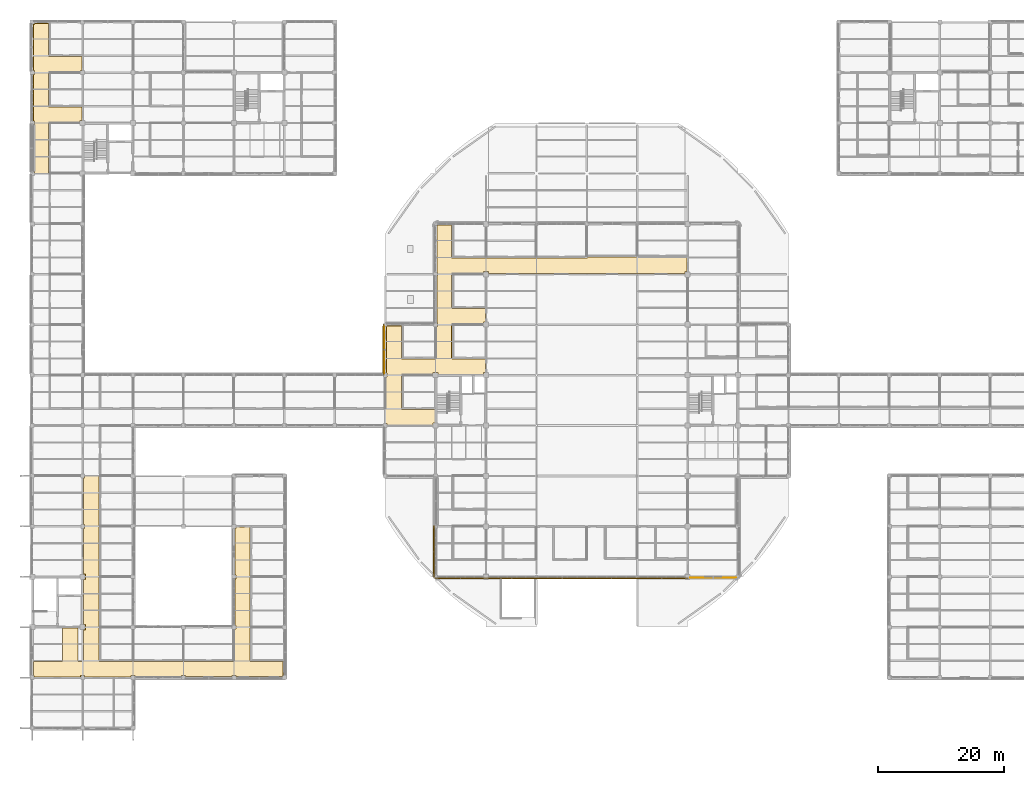
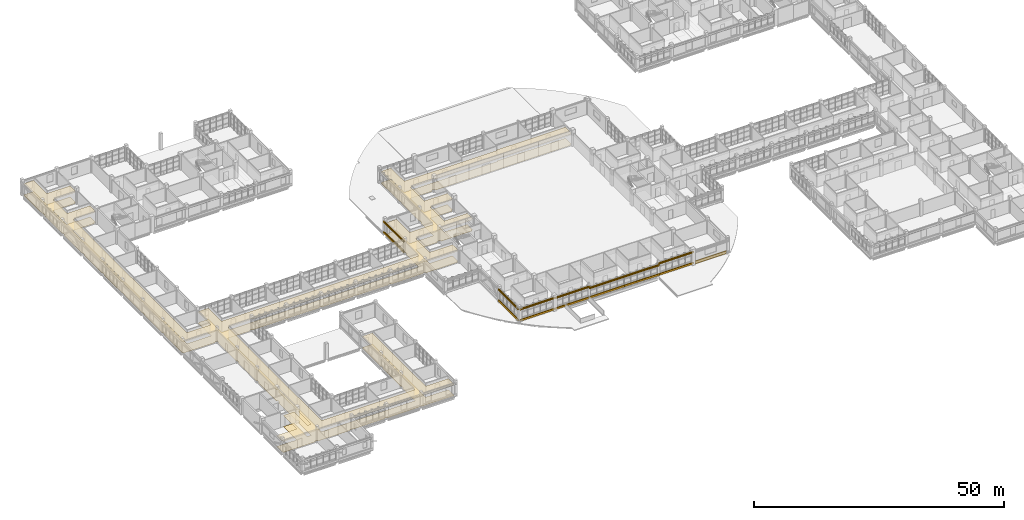
# One storey, part 114 of 126: 18 coverings, 7 shading devices.
"""IFC4 building model written with IfcOpenShell, lengths in metres."""

import ifcopenshell
import ifcopenshell.guid

model = None  # the IFC model being written
_history = None  # IfcOwnerHistory: only IFC2X3 demands one
_inside = {}  # id of a spatial element -> (the spatial element, [elements in it])
_under = {}  # id of a project, library or spatial element -> (it, [spatial elements below it])
_declared = {}  # id of a project -> (the project, [libraries it declares])
_typed = {}  # id of a type object -> (the type object, [elements of that type])
_made_of = {}  # id of a material, layer set ... -> (it, [elements and type objects made of it])


def new_model(schema):
    """Start an empty IFC model of exactly this schema.

    Asked for "IFC4X3", IfcOpenShell would pick the latest addendum, in which some entities
    have other attributes; the version numbers below select the first issue.
    IFC2X3 requires an IfcOwnerHistory on every rooted entity: one is made here for all.
    """
    global model, _history
    if schema == "IFC4X3":
        model = ifcopenshell.file(schema_version=(4, 3, 0, 0))
    else:
        model = ifcopenshell.file(schema=schema)
    _inside.clear()
    _under.clear()
    _declared.clear()
    _typed.clear()
    _made_of.clear()
    _history = None
    if model.schema == "IFC2X3":
        org = make("IfcOrganization", Name="unknown")
        user = make(
            "IfcPersonAndOrganization",
            ThePerson=make("IfcPerson", FamilyName="unknown"),
            TheOrganization=org,
        )
        app = make(
            "IfcApplication",
            ApplicationDeveloper=org,
            Version="unknown",
            ApplicationFullName="unknown",
            ApplicationIdentifier="unknown",
        )
        _history = make(
            "IfcOwnerHistory",
            OwningUser=user,
            OwningApplication=app,
            ChangeAction="ADDED",
            CreationDate=0,
        )
    return model


def make(cls, **values):
    """One entity of the class cls with the attributes given. An attribute that is None is left unset."""
    return model.create_entity(
        cls, **{name: value for name, value in values.items() if value is not None}
    )


def rooted(cls, **values):
    """An entity with a GlobalId (a new one), such as an element, a storey or a relation."""
    return make(cls, GlobalId=ifcopenshell.guid.new(), OwnerHistory=_history, **values)


def si_unit(unit_type, name, prefix=None):
    """IfcSIUnit, for example si_unit("LENGTHUNIT", "METRE", prefix="MILLI")."""
    return make("IfcSIUnit", UnitType=unit_type, Prefix=prefix, Name=name)


def derived_unit(unit_type, elements):
    """IfcDerivedUnit: a product of units, each with its exponent."""
    return make(
        "IfcDerivedUnit",
        Elements=[
            make("IfcDerivedUnitElement", Unit=unit, Exponent=power)
            for unit, power in elements
        ],
        UnitType=unit_type,
    )


def assignment(units):
    """IfcUnitAssignment: the units of a project."""
    return None if units is None else make("IfcUnitAssignment", Units=units)


def point(xyz):
    """IfcCartesianPoint."""
    return None if xyz is None else make("IfcCartesianPoint", Coordinates=xyz)


def direction(xyz):
    """IfcDirection."""
    return None if xyz is None else make("IfcDirection", DirectionRatios=xyz)


def frame(location, z_axis=None, x_axis=None):
    """IfcAxis2Placement3D, a coordinate frame: its origin and axes. An axis left out is left unset."""
    return make(
        "IfcAxis2Placement3D",
        Location=point(location),
        Axis=direction(z_axis),
        RefDirection=direction(x_axis),
    )


def frame_2d(location, x_axis=None):
    """IfcAxis2Placement2D, a coordinate frame in the plane: its origin and x axis."""
    return make(
        "IfcAxis2Placement2D", Location=point(location), RefDirection=direction(x_axis)
    )


def origin():
    """The frame at (0, 0, 0) with its axes left unset."""
    return frame((0.0, 0.0, 0.0))


def origin_2d():
    """The frame at (0, 0) in the plane with its x axis left unset."""
    return frame_2d((0.0, 0.0))


def place(relative_to, where):
    """IfcLocalPlacement: puts the frame where relative to a parent placement (None: the world)."""
    return make(
        "IfcLocalPlacement", PlacementRelTo=relative_to, RelativePlacement=where
    )


def context(
    kind, dimensions, precision=None, world=None, true_north=None, identifier=None
):
    """IfcGeometricRepresentationContext, for example the 3D "Model" context."""
    return make(
        "IfcGeometricRepresentationContext",
        ContextIdentifier=identifier,
        ContextType=kind,
        CoordinateSpaceDimension=dimensions,
        Precision=precision,
        WorldCoordinateSystem=world,
        TrueNorth=true_north,
    )


def subcontext(parent, identifier, kind, view, scale=None):
    """IfcGeometricRepresentationSubContext, for example "Body" below "Model"."""
    return make(
        "IfcGeometricRepresentationSubContext",
        ContextIdentifier=identifier,
        ContextType=kind,
        ParentContext=parent,
        TargetScale=scale,
        TargetView=view,
    )


def project(units=None, contexts=None):
    """IfcProject with its units and contexts."""
    return rooted(
        "IfcProject",
        Name="project",
        RepresentationContexts=contexts,
        UnitsInContext=assignment(units),
    )


def spatial(cls, under=None, at=None, **own):
    """A site, building, storey or space (cls), placed at a placement, below another one or the project."""
    s = rooted(cls, ObjectPlacement=at, **own)
    if under is not None:
        _under.setdefault(under.id(), (under, []))[1].append(s)
    return s


def polyline(points):
    """IfcPolyline through the points."""
    return make("IfcPolyline", Points=[point(p) for p in points])


def profile(cls, at=None, kind="AREA", **sizes):
    """A parametric profile (cls). Its sizes go by their IFC names, for example OverallWidth=200.0."""
    return make(cls, ProfileType=kind, Position=at, **sizes)


def rectangle(**sizes):
    """IfcRectangleProfileDef."""
    return profile("IfcRectangleProfileDef", **sizes)


def circle(**sizes):
    """IfcCircleProfileDef."""
    return profile("IfcCircleProfileDef", **sizes)


def outline(outer, holes=None, kind="AREA"):
    """IfcArbitraryClosedProfileDef: a profile drawn as a closed curve; with holes, ...WithVoids."""
    if holes is None:
        return make("IfcArbitraryClosedProfileDef", ProfileType=kind, OuterCurve=outer)
    return make(
        "IfcArbitraryProfileDefWithVoids",
        ProfileType=kind,
        OuterCurve=outer,
        InnerCurves=holes,
    )


def extrude(swept, where, along, depth):
    """IfcExtrudedAreaSolid: the profile swept, set in the frame where, extruded along a direction by depth."""
    return make(
        "IfcExtrudedAreaSolid",
        SweptArea=swept,
        Position=where,
        ExtrudedDirection=direction(along),
        Depth=depth,
    )


def shape(context_of_items, identifier, shape_type, items):
    """IfcShapeRepresentation: the items that make up one representation, for example the "Body"."""
    return make(
        "IfcShapeRepresentation",
        ContextOfItems=context_of_items,
        RepresentationIdentifier=identifier,
        RepresentationType=shape_type,
        Items=items,
    )


def material(Name=None, Category=None):
    """IfcMaterial."""
    return make("IfcMaterial", Name=Name, Category=Category)


def layer(
    of_material, thickness, ventilated=None, Name=None, Category=None, Priority=None
):
    """IfcMaterialLayer: one layer of a wall or slab, of a material (None: an air gap)."""
    return make(
        "IfcMaterialLayer",
        Material=of_material,
        LayerThickness=thickness,
        IsVentilated=ventilated,
        Name=Name,
        Category=Category,
        Priority=Priority,
    )


def layer_set(layers, Name=None):
    """IfcMaterialLayerSet."""
    return make("IfcMaterialLayerSet", MaterialLayers=layers, LayerSetName=Name)


def material_profile(
    of_material, cross_section, Name=None, Category=None, Priority=None
):
    """IfcMaterialProfile: a cross section and its material."""
    return make(
        "IfcMaterialProfile",
        Name=Name,
        Material=of_material,
        Profile=cross_section,
        Priority=Priority,
        Category=Category,
    )


def profile_set(profiles, Name=None, composite=None):
    """IfcMaterialProfileSet."""
    return make(
        "IfcMaterialProfileSet",
        Name=Name,
        MaterialProfiles=profiles,
        CompositeProfile=composite,
    )


def made_of(thing, what):
    """Note that an element or type object is made of a material, layer set ...; save() writes the relation."""
    if what is not None:
        _made_of.setdefault(what.id(), (what, []))[1].append(thing)
    return thing


def type_object(cls, material=None, **own):
    """A type object (cls), such as IfcWallType, which elements share."""
    return made_of(rooted(cls, **own), material)


def element(
    cls,
    number,
    at=None,
    inside=None,
    cuts=None,
    type_object=None,
    material=None,
    context=None,
    identifier="Body",
    shape_type=None,
    held_by="IfcProductDefinitionShape",
    body=None,
    shapes=None,
    **own,
):
    """One element of the class cls, such as IfcWall. Its Tag is "e" and its number.

    at: its placement. inside: the storey or other place that contains it. cuts: it is an
    opening in that element (IfcRelVoidsElement). A single representation is given by context,
    identifier, shape_type and body (its items); several are given by shapes. held_by: the class
    of the entity that holds the representations. save() writes the other relations.
    """
    e = rooted(cls, Tag="e%d" % number, ObjectPlacement=at, **own)
    if body is not None:
        shapes = [shape(context, identifier, shape_type, body)]
    if shapes is not None:
        e.Representation = make(held_by, Representations=shapes)
    if inside is not None:
        _inside.setdefault(inside.id(), (inside, []))[1].append(e)
    if cuts is not None:
        rooted(
            "IfcRelVoidsElement", RelatingBuildingElement=cuts, RelatedOpeningElement=e
        )
    if type_object is not None:
        _typed.setdefault(type_object.id(), (type_object, []))[1].append(e)
    return made_of(e, material)


def aggregate(whole, parts):
    """IfcRelAggregates: a whole, such as a stair, and the parts it consists of."""
    return rooted("IfcRelAggregates", RelatingObject=whole, RelatedObjects=parts)


def save(model, path):
    """Write the relations noted so far, then the file.

    IfcRelAggregates (storeys below a building ...), IfcRelContainedInSpatialStructure (elements
    in a storey), IfcRelDefinesByType, IfcRelAssociatesMaterial and IfcRelDeclares: one each for
    every whole, place, type object, material and project.
    """
    for whole, parts in _under.values():
        aggregate(whole, parts)
    for where, things in _inside.values():
        rooted(
            "IfcRelContainedInSpatialStructure",
            RelatedElements=things,
            RelatingStructure=where,
        )
    for kind, things in _typed.values():
        rooted("IfcRelDefinesByType", RelatedObjects=things, RelatingType=kind)
    for what, things in _made_of.values():
        rooted("IfcRelAssociatesMaterial", RelatedObjects=things, RelatingMaterial=what)
    for by, libraries in _declared.values():
        rooted("IfcRelDeclares", RelatingContext=by, RelatedDefinitions=libraries)
    model.write(path)


model = new_model("IFC4")

# Units and contexts
model_context = context("Model", 3, precision=1e-05, world=origin(), true_north=direction((0.0, 1.0)))
body_context = subcontext(model_context, "Body", "Model", "MODEL_VIEW")
ifc_project = project(units=[si_unit("LENGTHUNIT", "METRE"), si_unit("AREAUNIT", "SQUARE_METRE"), si_unit("VOLUMEUNIT", "CUBIC_METRE"), si_unit("PLANEANGLEUNIT", "RADIAN"), si_unit("MASSUNIT", "GRAM", prefix="KILO"), derived_unit("THERMALTRANSMITTANCEUNIT", [(si_unit("MASSUNIT", "GRAM", prefix="KILO"), 1), (si_unit("TIMEUNIT", "SECOND"), -3), (si_unit("THERMODYNAMICTEMPERATUREUNIT", "KELVIN"), -1)])], contexts=[model_context])

# Site, building, storey
site_placement = place(None, origin())
site = spatial("IfcSite", under=ifc_project, at=site_placement, CompositionType="ELEMENT")
building_placement = place(site_placement, origin())
building = spatial("IfcBuilding", under=site, at=building_placement, Name="Veyamyaing Civic Hall", CompositionType="ELEMENT")
storey_placement = place(building_placement, frame((0.0, 0.0, 9.89990234375)))
storey = spatial("IfcBuildingStorey", under=building, at=storey_placement, Name="L02", CompositionType="ELEMENT", Elevation=9.89990234375)

# Coverings
ifc_material_1 = material(Name="Turquoise glazed ceramic tile cladding", Category="masonry")
ifc_layer_1 = layer(ifc_material_1, 0.034912109375, Name="Turquoise glazed ceramic tile cladding")
ifc_layer_set_1 = layer_set([ifc_layer_1], Name="Turquoise glazed ceramic tile cladding")
covering_type_1 = type_object("IfcCoveringType", Name="CL-02", PredefinedType="CLADDING", material=ifc_layer_set_1)
covering_1_placement = place(storey_placement, frame((55.833984375, 60.0, 0.045166015625), z_axis=(0.0, 0.0, 1.0), x_axis=(0.0, 1.0, 0.0)))
element("IfcCovering", 1, at=covering_1_placement, inside=storey, type_object=covering_type_1, Name="Facade spandrel cladding CL-02 L02 W 8.8", PredefinedType="CLADDING", context=body_context, shape_type="SweptSolid", body=[
    extrude(rectangle(XDim=7.35009765625, YDim=0.034912109375, at=origin_2d()), origin(), (0.0, 0.0, 1.0), 0.75),
])
covering_2_placement = place(storey_placement, frame((108.050048828125, 23.833984375, 0.045166015625), z_axis=(0.0, 0.0, 1.0), x_axis=(1.0, 0.0, 0.0)))
element("IfcCovering", 2, at=covering_2_placement, inside=storey, type_object=covering_type_1, Name="Facade spandrel cladding CL-02 L02 S 14.4", PredefinedType="CLADDING", context=body_context, shape_type="SweptSolid", body=[
    extrude(rectangle(XDim=7.25, YDim=0.034912109375, at=origin_2d()), origin(), (0.0, 0.0, 1.0), 0.75),
])
ifc_material_2 = material(Name="White powder-coated aluminium 6063-T6", Category="aluminium")
ifc_layer_2 = layer(ifc_material_2, 0.2099609375, Name="White powder-coated aluminium 6063-T6")
ifc_layer_set_2 = layer_set([ifc_layer_2], Name="White powder-coated aluminium 6063-T6")
covering_type_2 = type_object("IfcCoveringType", Name="CL-03", PredefinedType="CLADDING", material=ifc_layer_set_2)
for number, where, z_axis, x_axis, name in (
    (3, (55.760009765625, 60.0, 2.900146484375), (0.0, 0.0, 1.0), (0.0, 1.0, 0.0), "Continuous white head fascia ribbon CL-03 L02 W 8.8"),
    (4, (55.760009765625, 60.0, 0.280029296875), (0.0, 0.0, 1.0), (0.0, 1.0, 0.0), "Continuous white sill fascia ribbon CL-03 L02 W 8.8"),
    (5, (68.0, 23.760009765625, 2.964111328125), (0.0, 0.0, 1.0), (1.0, 0.0, 0.0), "Continuous white head fascia ribbon CL-03 L02 S 9.4"),
    (6, (68.0, 23.760009765625, 0.280029296875), (0.0, 0.0, 1.0), (1.0, 0.0, 0.0), "Continuous white sill fascia ribbon CL-03 L02 S 9.4"),
    (7, (63.760009765625, 28.0, 2.964111328125), (0.0, 0.0, 1.0), (0.0, 1.0, 0.0), "Continuous white head fascia ribbon CL-03 L02 W 9.4"),
    (8, (63.760009765625, 28.0, 0.280029296875), (0.0, 0.0, 1.0), (0.0, 1.0, 0.0), "Continuous white sill fascia ribbon CL-03 L02 W 9.4"),
    (9, (76.0, 23.760009765625, 2.904052734375), (0.0, 0.0, 1.0), (1.0, 0.0, 0.0), "Continuous white head fascia ribbon CL-03 L02 S 10.4"),
    (10, (76.0, 23.760009765625, 0.280029296875), (0.0, 0.0, 1.0), (1.0, 0.0, 0.0), "Continuous white sill fascia ribbon CL-03 L02 S 10.4"),
    (11, (84.0, 23.760009765625, 2.55908203125), (0.0, 0.0, 1.0), (1.0, 0.0, 0.0), "Continuous white head fascia ribbon CL-03 L02 S 11.4"),
    (12, (84.0, 23.760009765625, 0.280029296875), (0.0, 0.0, 1.0), (1.0, 0.0, 0.0), "Continuous white sill fascia ribbon CL-03 L02 S 11.4"),
    (13, (92.0, 23.760009765625, 2.55908203125), (0.0, 0.0, 1.0), (1.0, 0.0, 0.0), "Continuous white head fascia ribbon CL-03 L02 S 12.4"),
    (14, (92.0, 23.760009765625, 0.280029296875), (0.0, 0.0, 1.0), (1.0, 0.0, 0.0), "Continuous white sill fascia ribbon CL-03 L02 S 12.4"),
    (15, (100.0, 23.760009765625, 2.964111328125), (0.0, 0.0, 1.0), (1.0, 0.0, 0.0), "Continuous white head fascia ribbon CL-03 L02 S 13.4"),
    (16, (100.0, 23.760009765625, 0.280029296875), (0.0, 0.0, 1.0), (1.0, 0.0, 0.0), "Continuous white sill fascia ribbon CL-03 L02 S 13.4"),
):
    element("IfcCovering", number, at=place(storey_placement, frame(where, z_axis=z_axis, x_axis=x_axis)), inside=storey, type_object=covering_type_2, Name=name, PredefinedType="CLADDING", context=body_context, shape_type="SweptSolid", body=[
        extrude(rectangle(XDim=8.1201171875, YDim=0.2099609375, at=origin_2d()), origin(), (0.0, 0.0, 1.0), 0.39990234375),
    ])
ifc_material_3 = material(Name="Perforated acoustic gypsum ceiling board")
ifc_layer_3 = layer(ifc_material_3, 0.02490234375, Name="Perforated acoustic gypsum ceiling board")
ifc_layer_set_3 = layer_set([ifc_layer_3], Name="Perforated acoustic gypsum ceiling board")
covering_type_3 = type_object("IfcCoveringType", Name="CLG-01", PredefinedType="CEILING", material=ifc_layer_set_3)
covering_3_placement = place(storey_placement, frame((0.0, 0.0, 2.7001953125)))
element("IfcCovering", 17, at=covering_3_placement, inside=storey, type_object=covering_type_3, Name="Acoustic suspended ceiling CLG-01 L02-C01", PredefinedType="CEILING", context=body_context, shape_type="SweptSolid", body=[
    extrude(outline(polyline([(34.580810546875, 10.6220703125), (34.597412109375, 10.597412109375), (34.62158203125, 10.581298828125), (34.652587890625, 10.574951171875), (39.844970703125, 10.574951171875), (39.844970703125, 8.284912109375), (39.715087890625, 8.284912109375), (39.715087890625, 8.155029296875), (32.284912109375, 8.155029296875), (32.284912109375, 8.284912109375), (31.715087890625, 8.284912109375), (31.715087890625, 8.155029296875), (24.284912109375, 8.155029296875), (24.284912109375, 8.284912109375), (23.715087890625, 8.284912109375), (23.715087890625, 8.155029296875), (16.284912109375, 8.155029296875), (16.284912109375, 8.284912109375), (15.715087890625, 8.284912109375), (15.715087890625, 8.074951171875), (8.284912109375, 8.074951171875), (8.284912109375, 8.284912109375), (7.715087890625, 8.284912109375), (7.715087890625, 8.074951171875), (0.284912109375, 8.074951171875), (0.284912109375, 8.284912109375), (0.155029296875, 8.284912109375), (0.155029296875, 10.574951171875), (4.69873046875, 10.574951171875), (4.714111328125, 10.576416015625), (4.735107421875, 10.583984375), (4.75341796875, 10.597412109375), (4.76171875, 10.60791015625), (4.771484375, 10.62841796875), (4.77490234375, 10.65185546875), (4.77490234375, 15.925048828125), (7.27490234375, 15.925048828125), (7.27685546875, 10.635009765625), (7.2841796875, 10.61474609375), (7.297119140625, 10.59716796875), (7.314208984375, 10.58447265625), (7.343994140625, 10.575439453125), (7.99755859375, 10.574951171875), (8.029296875, 10.581298828125), (8.0478515625, 10.592529296875), (8.0576171875, 10.60205078125), (8.068603515625, 10.620849609375), (8.074951171875, 10.652587890625), (8.074951171875, 15.614990234375), (8.385009765625, 15.614990234375), (8.385009765625, 16.385009765625), (8.074951171875, 16.385009765625), (8.074951171875, 23.614990234375), (8.385009765625, 23.614990234375), (8.385009765625, 24.385009765625), (8.074951171875, 24.385009765625), (8.074951171875, 31.715087890625), (8.284912109375, 31.715087890625), (8.284912109375, 32.284912109375), (8.074951171875, 32.284912109375), (8.074951171875, 39.715087890625), (8.284912109375, 39.715087890625), (8.284912109375, 40.284912109375), (8.074951171875, 40.284912109375), (8.074951171875, 47.715087890625), (8.284912109375, 47.715087890625), (8.284912109375, 48.284912109375), (7.715087890625, 48.284912109375), (7.715087890625, 48.074951171875), (0.284912109375, 48.074951171875), (0.284912109375, 48.284912109375), (0.155029296875, 48.284912109375), (0.155029296875, 55.715087890625), (0.284912109375, 55.715087890625), (0.284912109375, 56.284912109375), (0.155029296875, 56.284912109375), (0.155029296875, 63.715087890625), (0.284912109375, 63.715087890625), (0.284912109375, 64.284912109375), (0.155029296875, 64.284912109375), (0.155029296875, 71.715087890625), (0.284912109375, 71.715087890625), (0.284912109375, 72.284912109375), (0.155029296875, 72.284912109375), (0.155029296875, 79.68994140625), (0.31005859375, 79.68994140625), (0.31005859375, 80.31005859375), (0.155029296875, 80.31005859375), (0.155029296875, 87.68994140625), (0.31005859375, 87.68994140625), (0.31005859375, 88.31005859375), (0.155029296875, 88.31005859375), (0.155029296875, 95.68994140625), (0.31005859375, 95.68994140625), (0.31005859375, 96.31005859375), (0.155029296875, 96.31005859375), (0.155029296875, 103.68994140625), (0.31005859375, 103.68994140625), (0.31005859375, 104.31005859375), (0.155029296875, 104.31005859375), (0.155029296875, 111.68994140625), (0.31005859375, 111.68994140625), (0.31005859375, 111.844970703125), (2.574951171875, 111.844970703125), (2.574951171875, 106.65185546875), (2.57861328125, 106.627685546875), (2.583740234375, 106.615234375), (2.597412109375, 106.5966796875), (2.60791015625, 106.588134765625), (2.62841796875, 106.57861328125), (2.65185546875, 106.574951171875), (7.925048828125, 106.574951171875), (7.925048828125, 104.31005859375), (7.68994140625, 104.31005859375), (7.68994140625, 104.074951171875), (2.652587890625, 104.074951171875), (2.62158203125, 104.06884765625), (2.597412109375, 104.052734375), (2.580810546875, 104.028076171875), (2.575439453125, 104.006591796875), (2.574951171875, 98.652587890625), (2.581298828125, 98.62158203125), (2.597412109375, 98.597412109375), (2.62158203125, 98.581298828125), (2.652587890625, 98.574951171875), (7.925048828125, 98.574951171875), (7.925048828125, 96.385009765625), (7.614990234375, 96.385009765625), (7.614990234375, 96.074951171875), (2.652587890625, 96.074951171875), (2.62158203125, 96.06884765625), (2.597412109375, 96.052734375), (2.580810546875, 96.028076171875), (2.575439453125, 96.006591796875), (2.574951171875, 50.65185546875), (2.57861328125, 50.62841796875), (2.587890625, 50.6083984375), (2.6025390625, 50.59228515625), (2.620849609375, 50.581298828125), (2.652587890625, 50.574951171875), (7.99755859375, 50.574951171875), (8.028564453125, 50.581298828125), (8.052734375, 50.597412109375), (8.06884765625, 50.62158203125), (8.074951171875, 50.652587890625), (8.074951171875, 55.715087890625), (8.284912109375, 55.715087890625), (8.284912109375, 55.844970703125), (10.574951171875, 55.844970703125), (10.574951171875, 50.652587890625), (10.581298828125, 50.62158203125), (10.597412109375, 50.597412109375), (10.6220703125, 50.580810546875), (10.643310546875, 50.575439453125), (55.998291015625, 50.574951171875), (56.022216796875, 50.57861328125), (56.03466796875, 50.583740234375), (56.05322265625, 50.597412109375), (56.061767578125, 50.60791015625), (56.071533203125, 50.62841796875), (56.074951171875, 50.65185546875), (56.074951171875, 55.715087890625), (56.284912109375, 55.715087890625), (56.284912109375, 56.284912109375), (56.155029296875, 56.284912109375), (56.155029296875, 63.715087890625), (56.284912109375, 63.715087890625), (56.284912109375, 63.844970703125), (58.574951171875, 63.844970703125), (58.574951171875, 58.65185546875), (58.57861328125, 58.627685546875), (58.583740234375, 58.615234375), (58.597412109375, 58.5966796875), (58.60791015625, 58.588134765625), (58.62841796875, 58.57861328125), (58.65185546875, 58.574951171875), (63.998291015625, 58.574951171875), (64.02099609375, 58.578369140625), (64.0478515625, 58.5927734375), (64.06201171875, 58.6083984375), (64.071533203125, 58.62841796875), (64.074951171875, 58.65185546875), (64.074951171875, 63.715087890625), (64.284912109375, 63.715087890625), (64.284912109375, 64.284912109375), (64.155029296875, 64.284912109375), (64.155029296875, 71.715087890625), (64.284912109375, 71.715087890625), (64.284912109375, 72.284912109375), (64.155029296875, 72.284912109375), (64.155029296875, 79.715087890625), (64.284912109375, 79.715087890625), (64.284912109375, 79.844970703125), (66.574951171875, 79.844970703125), (66.574951171875, 74.652587890625), (66.581298828125, 74.62158203125), (66.597412109375, 74.597412109375), (66.6220703125, 74.580810546875), (66.643310546875, 74.575439453125), (87.998291015625, 74.574951171875), (88.021728515625, 74.57861328125), (88.0419921875, 74.588134765625), (88.052490234375, 74.5966796875), (88.0654296875, 74.6142578125), (88.074462890625, 74.64404296875), (88.0751953125, 74.77490234375), (103.925048828125, 74.77490234375), (103.925048828125, 72.385009765625), (103.614990234375, 72.385009765625), (103.614990234375, 72.074951171875), (72.385009765625, 72.074951171875), (72.385009765625, 72.385009765625), (71.614990234375, 72.385009765625), (71.614990234375, 72.074951171875), (66.65185546875, 72.074951171875), (66.62841796875, 72.071533203125), (66.60791015625, 72.061767578125), (66.597412109375, 72.05322265625), (66.583740234375, 72.03466796875), (66.57861328125, 72.022216796875), (66.574951171875, 71.998291015625), (66.574951171875, 66.65185546875), (66.57861328125, 66.62841796875), (66.588134765625, 66.60791015625), (66.5966796875, 66.597412109375), (66.615234375, 66.583740234375), (66.627685546875, 66.57861328125), (66.65185546875, 66.574951171875), (71.925048828125, 66.574951171875), (71.925048828125, 64.385009765625), (71.614990234375, 64.385009765625), (71.614990234375, 64.074951171875), (66.652587890625, 64.074951171875), (66.62158203125, 64.06884765625), (66.597412109375, 64.052734375), (66.581298828125, 64.028564453125), (66.574951171875, 63.99755859375), (66.574951171875, 58.65185546875), (66.57861328125, 58.62841796875), (66.587890625, 58.6083984375), (66.602294921875, 58.5927734375), (66.62890625, 58.578369140625), (66.65185546875, 58.574951171875), (71.925048828125, 58.574951171875), (71.925048828125, 56.385009765625), (71.614990234375, 56.385009765625), (71.614990234375, 56.074951171875), (64.385009765625, 56.074951171875), (64.385009765625, 56.385009765625), (63.614990234375, 56.385009765625), (63.614990234375, 56.074951171875), (58.652587890625, 56.074951171875), (58.62158203125, 56.06884765625), (58.597412109375, 56.052734375), (58.581298828125, 56.028564453125), (58.574951171875, 55.99755859375), (58.574951171875, 50.65185546875), (58.57861328125, 50.62841796875), (58.588134765625, 50.60791015625), (58.5966796875, 50.597412109375), (58.615234375, 50.583740234375), (58.627685546875, 50.57861328125), (58.65185546875, 50.574951171875), (63.925048828125, 50.574951171875), (63.925048828125, 48.385009765625), (63.614990234375, 48.385009765625), (63.614990234375, 48.074951171875), (56.284912109375, 48.074951171875), (56.284912109375, 48.284912109375), (55.715087890625, 48.284912109375), (55.715087890625, 48.155029296875), (48.284912109375, 48.155029296875), (48.284912109375, 48.284912109375), (47.715087890625, 48.284912109375), (47.715087890625, 48.155029296875), (40.284912109375, 48.155029296875), (40.284912109375, 48.284912109375), (39.715087890625, 48.284912109375), (39.715087890625, 48.155029296875), (32.284912109375, 48.155029296875), (32.284912109375, 48.284912109375), (31.715087890625, 48.284912109375), (31.715087890625, 48.155029296875), (24.284912109375, 48.155029296875), (24.284912109375, 48.284912109375), (23.715087890625, 48.284912109375), (23.715087890625, 48.155029296875), (16.284912109375, 48.155029296875), (16.284912109375, 48.284912109375), (15.715087890625, 48.284912109375), (15.715087890625, 48.074951171875), (10.652587890625, 48.074951171875), (10.62158203125, 48.06884765625), (10.597412109375, 48.052734375), (10.581298828125, 48.028564453125), (10.574951171875, 47.99755859375), (10.574951171875, 10.65185546875), (10.57861328125, 10.62841796875), (10.587890625, 10.6083984375), (10.60302734375, 10.591796875), (10.6142578125, 10.584228515625), (10.635986328125, 10.576416015625), (10.651123046875, 10.574951171875), (31.99755859375, 10.574951171875), (32.028564453125, 10.581298828125), (32.052734375, 10.597412109375), (32.06884765625, 10.62158203125), (32.074951171875, 10.652587890625), (32.074951171875, 15.715087890625), (32.284912109375, 15.715087890625), (32.284912109375, 16.284912109375), (32.155029296875, 16.284912109375), (32.155029296875, 23.715087890625), (32.284912109375, 23.715087890625), (32.284912109375, 24.284912109375), (32.155029296875, 24.284912109375), (32.155029296875, 31.715087890625), (32.284912109375, 31.715087890625), (32.284912109375, 31.925048828125), (34.574951171875, 31.925048828125), (34.575439453125, 10.643310546875), (34.580810546875, 10.6220703125)])), origin(), (0.0, 0.0, 1.0), 0.02490234375),
])
ifc_material_4 = material(Name="Polished Mandalay marble and terrazzo flooring", Category="masonry")
ifc_layer_4 = layer(ifc_material_4, 0.030029296875, Name="Polished Mandalay marble and terrazzo flooring")
ifc_layer_set_4 = layer_set([ifc_layer_4], Name="Polished Mandalay marble and terrazzo flooring")
covering_type_4 = type_object("IfcCoveringType", Name="FLR-01", PredefinedType="FLOORING", material=ifc_layer_set_4)
covering_4_placement = place(storey_placement, origin())
element("IfcCovering", 18, at=covering_4_placement, inside=storey, type_object=covering_type_4, Name="Stone and terrazzo flooring FLR-01 L02-C01", PredefinedType="FLOORING", context=body_context, shape_type="SweptSolid", body=[
    extrude(outline(polyline([(34.5576171875, 10.61181640625), (34.579345703125, 10.579345703125), (34.61181640625, 10.5576171875), (34.64990234375, 10.550048828125), (39.820068359375, 10.550048828125), (39.820068359375, 8.31005859375), (39.68994140625, 8.31005859375), (39.68994140625, 8.179931640625), (32.31005859375, 8.179931640625), (32.31005859375, 8.31005859375), (31.68994140625, 8.31005859375), (31.68994140625, 8.179931640625), (24.31005859375, 8.179931640625), (24.31005859375, 8.31005859375), (23.68994140625, 8.31005859375), (23.68994140625, 8.179931640625), (16.31005859375, 8.179931640625), (16.31005859375, 8.31005859375), (15.68994140625, 8.31005859375), (15.68994140625, 8.10009765625), (8.31005859375, 8.10009765625), (8.31005859375, 8.31005859375), (7.68994140625, 8.31005859375), (7.68994140625, 8.10009765625), (0.31005859375, 8.10009765625), (0.31005859375, 8.31005859375), (0.179931640625, 8.31005859375), (0.179931640625, 10.550048828125), (4.699951171875, 10.550048828125), (4.719482421875, 10.552001953125), (4.7470703125, 10.561767578125), (4.770751953125, 10.579345703125), (4.783203125, 10.594482421875), (4.795654296875, 10.62109375), (4.800048828125, 10.64990234375), (4.800048828125, 15.89990234375), (7.25, 15.89990234375), (7.251953125, 10.630615234375), (7.26171875, 10.602783203125), (7.279296875, 10.579345703125), (7.302978515625, 10.561767578125), (7.340087890625, 10.550537109375), (8.0, 10.550048828125), (8.038330078125, 10.5576171875), (8.0634765625, 10.57275390625), (8.077392578125, 10.586669921875), (8.09228515625, 10.61181640625), (8.10009765625, 10.64990234375), (8.10009765625, 15.590087890625), (8.409912109375, 15.590087890625), (8.409912109375, 16.409912109375), (8.10009765625, 16.409912109375), (8.10009765625, 23.590087890625), (8.409912109375, 23.590087890625), (8.409912109375, 24.409912109375), (8.10009765625, 24.409912109375), (8.10009765625, 31.68994140625), (8.31005859375, 31.68994140625), (8.31005859375, 32.31005859375), (8.10009765625, 32.31005859375), (8.10009765625, 39.68994140625), (8.31005859375, 39.68994140625), (8.31005859375, 40.31005859375), (8.10009765625, 40.31005859375), (8.10009765625, 47.68994140625), (8.31005859375, 47.68994140625), (8.31005859375, 48.31005859375), (7.68994140625, 48.31005859375), (7.68994140625, 48.10009765625), (0.31005859375, 48.10009765625), (0.31005859375, 48.31005859375), (0.179931640625, 48.31005859375), (0.179931640625, 55.68994140625), (0.31005859375, 55.68994140625), (0.31005859375, 56.31005859375), (0.179931640625, 56.31005859375), (0.179931640625, 63.68994140625), (0.31005859375, 63.68994140625), (0.31005859375, 64.31005859375), (0.179931640625, 64.31005859375), (0.179931640625, 71.68994140625), (0.31005859375, 71.68994140625), (0.31005859375, 72.31005859375), (0.179931640625, 72.31005859375), (0.179931640625, 79.6650390625), (0.3349609375, 79.6650390625), (0.3349609375, 80.3349609375), (0.179931640625, 80.3349609375), (0.179931640625, 87.6650390625), (0.3349609375, 87.6650390625), (0.3349609375, 88.3349609375), (0.179931640625, 88.3349609375), (0.179931640625, 95.6650390625), (0.3349609375, 95.6650390625), (0.3349609375, 96.3349609375), (0.179931640625, 96.3349609375), (0.179931640625, 103.6650390625), (0.3349609375, 103.6650390625), (0.3349609375, 104.3349609375), (0.179931640625, 104.3349609375), (0.179931640625, 111.6650390625), (0.3349609375, 111.6650390625), (0.3349609375, 111.820068359375), (2.550048828125, 111.820068359375), (2.550048828125, 106.64990234375), (2.55419921875, 106.62109375), (2.561767578125, 106.602783203125), (2.579345703125, 106.579345703125), (2.594482421875, 106.56689453125), (2.62109375, 106.55419921875), (2.64990234375, 106.550048828125), (7.89990234375, 106.550048828125), (7.89990234375, 104.3349609375), (7.6650390625, 104.3349609375), (7.6650390625, 104.10009765625), (2.64990234375, 104.10009765625), (2.61181640625, 104.09228515625), (2.579345703125, 104.07080078125), (2.5576171875, 104.038330078125), (2.550537109375, 104.009765625), (2.550048828125, 98.64990234375), (2.5576171875, 98.61181640625), (2.579345703125, 98.579345703125), (2.61181640625, 98.5576171875), (2.64990234375, 98.550048828125), (7.89990234375, 98.550048828125), (7.89990234375, 96.409912109375), (7.590087890625, 96.409912109375), (7.590087890625, 96.10009765625), (2.64990234375, 96.10009765625), (2.61181640625, 96.09228515625), (2.579345703125, 96.07080078125), (2.5576171875, 96.038330078125), (2.550537109375, 96.009765625), (2.550048828125, 50.64990234375), (2.55419921875, 50.62109375), (2.56689453125, 50.594482421875), (2.586669921875, 50.57275390625), (2.61181640625, 50.5576171875), (2.64990234375, 50.550048828125), (8.0, 50.550048828125), (8.038330078125, 50.5576171875), (8.07080078125, 50.579345703125), (8.09228515625, 50.61181640625), (8.10009765625, 50.64990234375), (8.10009765625, 55.68994140625), (8.31005859375, 55.68994140625), (8.31005859375, 55.820068359375), (10.550048828125, 55.820068359375), (10.550048828125, 50.64990234375), (10.5576171875, 50.61181640625), (10.579345703125, 50.579345703125), (10.61181640625, 50.5576171875), (10.64013671875, 50.550537109375), (56.0, 50.550048828125), (56.029052734375, 50.55419921875), (56.047119140625, 50.561767578125), (56.07080078125, 50.579345703125), (56.0830078125, 50.594482421875), (56.095703125, 50.62109375), (56.10009765625, 50.64990234375), (56.10009765625, 55.68994140625), (56.31005859375, 55.68994140625), (56.31005859375, 56.31005859375), (56.179931640625, 56.31005859375), (56.179931640625, 63.68994140625), (56.31005859375, 63.68994140625), (56.31005859375, 63.820068359375), (58.550048828125, 63.820068359375), (58.550048828125, 58.64990234375), (58.55419921875, 58.62109375), (58.561767578125, 58.602783203125), (58.579345703125, 58.579345703125), (58.594482421875, 58.56689453125), (58.62109375, 58.55419921875), (58.64990234375, 58.550048828125), (64.0, 58.550048828125), (64.029052734375, 58.55419921875), (64.0634765625, 58.57275390625), (64.0830078125, 58.594482421875), (64.095703125, 58.62109375), (64.10009765625, 58.64990234375), (64.10009765625, 63.68994140625), (64.31005859375, 63.68994140625), (64.31005859375, 64.31005859375), (64.179931640625, 64.31005859375), (64.179931640625, 71.68994140625), (64.31005859375, 71.68994140625), (64.31005859375, 72.31005859375), (64.179931640625, 72.31005859375), (64.179931640625, 79.68994140625), (64.31005859375, 79.68994140625), (64.31005859375, 79.820068359375), (66.550048828125, 79.820068359375), (66.550048828125, 74.64990234375), (66.5576171875, 74.61181640625), (66.579345703125, 74.579345703125), (66.61181640625, 74.5576171875), (66.64013671875, 74.550537109375), (88.0, 74.550048828125), (88.029052734375, 74.55419921875), (88.0556640625, 74.56689453125), (88.07080078125, 74.579345703125), (88.088134765625, 74.602783203125), (88.099609375, 74.64013671875), (88.10009765625, 74.75), (103.89990234375, 74.75), (103.89990234375, 72.409912109375), (103.590087890625, 72.409912109375), (103.590087890625, 72.10009765625), (72.409912109375, 72.10009765625), (72.409912109375, 72.409912109375), (71.590087890625, 72.409912109375), (71.590087890625, 72.10009765625), (66.64990234375, 72.10009765625), (66.62109375, 72.095703125), (66.594482421875, 72.0830078125), (66.579345703125, 72.07080078125), (66.561767578125, 72.047119140625), (66.55419921875, 72.029052734375), (66.550048828125, 72.0), (66.550048828125, 66.64990234375), (66.55419921875, 66.62109375), (66.56689453125, 66.594482421875), (66.579345703125, 66.579345703125), (66.602783203125, 66.561767578125), (66.62109375, 66.55419921875), (66.64990234375, 66.550048828125), (71.89990234375, 66.550048828125), (71.89990234375, 64.409912109375), (71.590087890625, 64.409912109375), (71.590087890625, 64.10009765625), (66.64990234375, 64.10009765625), (66.61181640625, 64.09228515625), (66.579345703125, 64.07080078125), (66.5576171875, 64.038330078125), (66.550048828125, 64.0), (66.550048828125, 58.64990234375), (66.55419921875, 58.62109375), (66.56689453125, 58.594482421875), (66.586669921875, 58.57275390625), (66.62109375, 58.55419921875), (66.64990234375, 58.550048828125), (71.89990234375, 58.550048828125), (71.89990234375, 56.409912109375), (71.590087890625, 56.409912109375), (71.590087890625, 56.10009765625), (64.409912109375, 56.10009765625), (64.409912109375, 56.409912109375), (63.590087890625, 56.409912109375), (63.590087890625, 56.10009765625), (58.64990234375, 56.10009765625), (58.61181640625, 56.09228515625), (58.579345703125, 56.07080078125), (58.5576171875, 56.038330078125), (58.550048828125, 56.0), (58.550048828125, 50.64990234375), (58.55419921875, 50.62109375), (58.56689453125, 50.594482421875), (58.579345703125, 50.579345703125), (58.602783203125, 50.561767578125), (58.62109375, 50.55419921875), (58.64990234375, 50.550048828125), (63.89990234375, 50.550048828125), (63.89990234375, 48.409912109375), (63.590087890625, 48.409912109375), (63.590087890625, 48.10009765625), (56.31005859375, 48.10009765625), (56.31005859375, 48.31005859375), (55.68994140625, 48.31005859375), (55.68994140625, 48.179931640625), (48.31005859375, 48.179931640625), (48.31005859375, 48.31005859375), (47.68994140625, 48.31005859375), (47.68994140625, 48.179931640625), (40.31005859375, 48.179931640625), (40.31005859375, 48.31005859375), (39.68994140625, 48.31005859375), (39.68994140625, 48.179931640625), (32.31005859375, 48.179931640625), (32.31005859375, 48.31005859375), (31.68994140625, 48.31005859375), (31.68994140625, 48.179931640625), (24.31005859375, 48.179931640625), (24.31005859375, 48.31005859375), (23.68994140625, 48.31005859375), (23.68994140625, 48.179931640625), (16.31005859375, 48.179931640625), (16.31005859375, 48.31005859375), (15.68994140625, 48.31005859375), (15.68994140625, 48.10009765625), (10.64990234375, 48.10009765625), (10.61181640625, 48.09228515625), (10.579345703125, 48.07080078125), (10.5576171875, 48.038330078125), (10.550048828125, 48.0), (10.550048828125, 10.64990234375), (10.55419921875, 10.62109375), (10.56689453125, 10.594482421875), (10.586669921875, 10.57275390625), (10.602783203125, 10.561767578125), (10.630615234375, 10.552001953125), (10.64990234375, 10.550048828125), (32.0, 10.550048828125), (32.038330078125, 10.5576171875), (32.07080078125, 10.579345703125), (32.09228515625, 10.61181640625), (32.10009765625, 10.64990234375), (32.10009765625, 15.68994140625), (32.31005859375, 15.68994140625), (32.31005859375, 16.31005859375), (32.179931640625, 16.31005859375), (32.179931640625, 23.68994140625), (32.31005859375, 23.68994140625), (32.31005859375, 24.31005859375), (32.179931640625, 24.31005859375), (32.179931640625, 31.68994140625), (32.31005859375, 31.68994140625), (32.31005859375, 31.89990234375), (34.550048828125, 31.89990234375), (34.550537109375, 10.64013671875), (34.5576171875, 10.61181640625)])), origin(), (0.0, 0.0, 1.0), 0.030029296875),
])

# Shading devices
ifc_material_profile = material_profile(ifc_material_2, circle(Radius=0.110107421875, at=origin_2d()), Name="SHADE-TUBE-220")
ifc_profile_set = profile_set([ifc_material_profile], Name="White powder-coated aluminium 6063-T6")
shading_device_type = type_object("IfcShadingDeviceType", Name="SH-01", PredefinedType="USERDEFINED", material=ifc_profile_set)
shading_device_1_placement = place(storey_placement, frame((55.760009765625, 56.284912109375, 3.06005859375), z_axis=(0.0, 1.0, 0.0), x_axis=(-1.0, 0.0, 0.0)))
element("IfcShadingDevice", 19, at=shading_device_1_placement, inside=storey, type_object=shading_device_type, Name="Horizontal white sunshade ribbon SH-01 L02 W 8.8", ObjectType="SUNSHADE", PredefinedType="USERDEFINED", context=body_context, shape_type="SweptSolid", body=[
    extrude(circle(Radius=0.110107421875, at=origin_2d()), origin(), (0.0, 0.0, 1.0), 7.43017578125),
])
shading_device_2_placement = place(storey_placement, frame((64.284912109375, 23.760009765625, 3.1240234375), z_axis=(1.0, 0.0, 0.0), x_axis=(0.0, 1.0, 0.0)))
element("IfcShadingDevice", 20, at=shading_device_2_placement, inside=storey, type_object=shading_device_type, Name="Horizontal white sunshade ribbon SH-01 L02 S 9.4", ObjectType="SUNSHADE", PredefinedType="USERDEFINED", context=body_context, shape_type="SweptSolid", body=[
    extrude(circle(Radius=0.110107421875, at=origin_2d()), origin(), (0.0, 0.0, 1.0), 7.330078125),
])
shading_device_3_placement = place(storey_placement, frame((63.760009765625, 24.284912109375, 3.1240234375), z_axis=(0.0, 1.0, 0.0), x_axis=(-1.0, 0.0, 0.0)))
element("IfcShadingDevice", 21, at=shading_device_3_placement, inside=storey, type_object=shading_device_type, Name="Horizontal white sunshade ribbon SH-01 L02 W 9.4", ObjectType="SUNSHADE", PredefinedType="USERDEFINED", context=body_context, shape_type="SweptSolid", body=[
    extrude(circle(Radius=0.110107421875, at=origin_2d()), origin(), (0.0, 0.0, 1.0), 7.43017578125),
])
shading_device_4_placement = place(storey_placement, frame((72.385009765625, 23.760009765625, 3.064208984375), z_axis=(1.0, 0.0, 0.0), x_axis=(0.0, 1.0, 0.0)))
element("IfcShadingDevice", 22, at=shading_device_4_placement, inside=storey, type_object=shading_device_type, Name="Horizontal white sunshade ribbon SH-01 L02 S 10.4", ObjectType="SUNSHADE", PredefinedType="USERDEFINED", context=body_context, shape_type="SweptSolid", body=[
    extrude(circle(Radius=0.110107421875, at=origin_2d()), origin(), (0.0, 0.0, 1.0), 7.444580078125),
])
for number, where, z_axis, x_axis, name in (
    (23, (80.17041015625, 23.760009765625, 2.718994140625), (1.0, 0.0, 0.0), (0.0, 1.0, 0.0), "Horizontal white sunshade ribbon SH-01 L02 S 11.4"),
    (24, (88.0, 23.760009765625, 2.718994140625), (1.0, 0.0, 0.0), (0.0, 1.0, 0.0), "Horizontal white sunshade ribbon SH-01 L02 S 12.4"),
):
    element("IfcShadingDevice", number, at=place(storey_placement, frame(where, z_axis=z_axis, x_axis=x_axis)), inside=storey, type_object=shading_device_type, Name=name, ObjectType="SUNSHADE", PredefinedType="USERDEFINED", context=body_context, shape_type="SweptSolid", body=[
        extrude(circle(Radius=0.110107421875, at=origin_2d()), origin(), (0.0, 0.0, 1.0), 7.82958984375),
    ])
shading_device_5_placement = place(storey_placement, frame((96.17041015625, 23.760009765625, 3.1240234375), z_axis=(1.0, 0.0, 0.0), x_axis=(0.0, 1.0, 0.0)))
element("IfcShadingDevice", 25, at=shading_device_5_placement, inside=storey, type_object=shading_device_type, Name="Horizontal white sunshade ribbon SH-01 L02 S 13.4", ObjectType="SUNSHADE", PredefinedType="USERDEFINED", context=body_context, shape_type="SweptSolid", body=[
    extrude(circle(Radius=0.110107421875, at=origin_2d()), origin(), (0.0, 0.0, 1.0), 7.444580078125),
])

save(model, "model.ifc")
